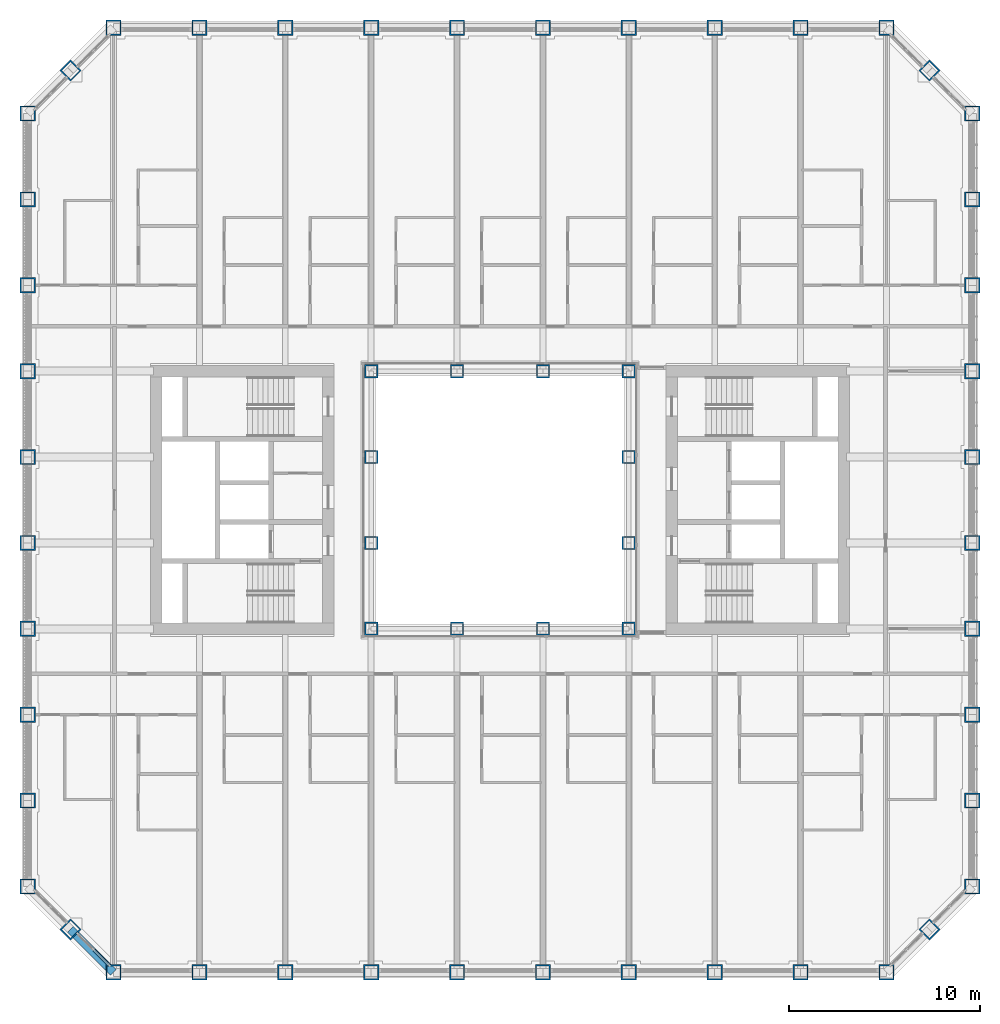
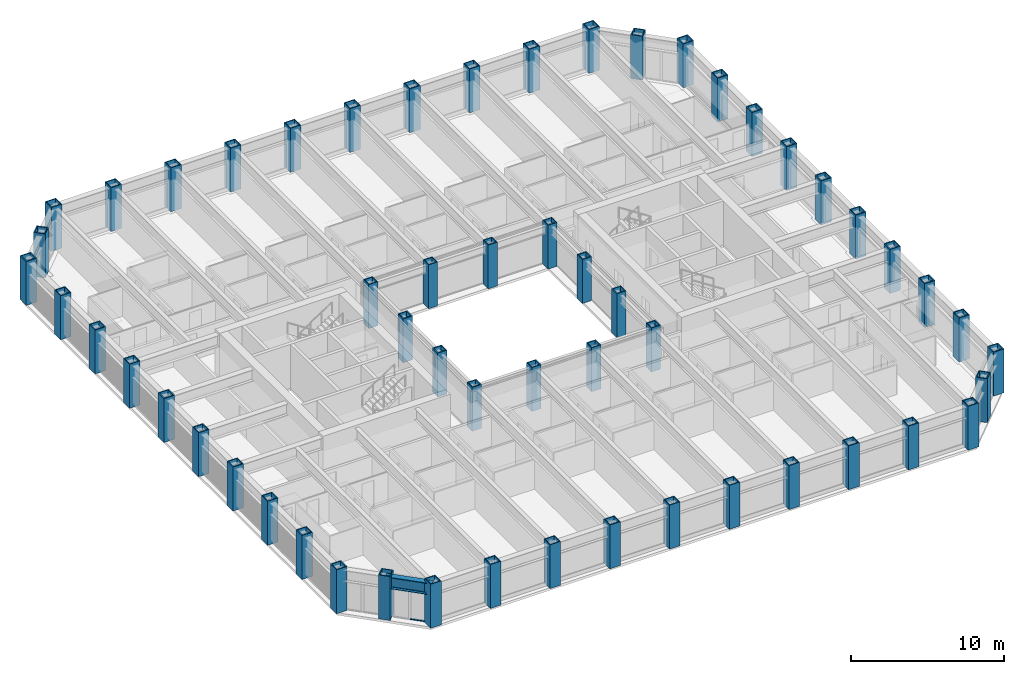
# One storey, part 1 of 21: 56 columns, 2 members, 1 beam, 1 element without a shape of its own.
"""IFC4 building model written with IfcOpenShell, lengths in metres."""

from ifc_helpers import new_model, si_unit, direction, frame, origin, origin_2d, place, context, subcontext, project, spatial, rectangle, hollow_rectangle, i_section, extrude, material, material_profile, profile_set, type_object, element, aggregate, save


model = new_model("IFC4")

# Units and contexts
model_context = context("Model", 3, precision=1e-05, world=origin(), true_north=direction((0.0, 1.0)))
body_context = subcontext(model_context, "Body", "Model", "MODEL_VIEW")
ifc_project = project(units=[si_unit("LENGTHUNIT", "METRE"), si_unit("AREAUNIT", "SQUARE_METRE"), si_unit("VOLUMEUNIT", "CUBIC_METRE"), si_unit("PLANEANGLEUNIT", "RADIAN"), si_unit("MASSUNIT", "GRAM", prefix="KILO")], contexts=[model_context])

# Site, building, storey
site_placement = place(None, origin())
site = spatial("IfcSite", under=ifc_project, at=site_placement, CompositionType="ELEMENT")
building_placement = place(site_placement, origin())
building = spatial("IfcBuilding", under=site, at=building_placement, Name="Msasa Ring Tower", CompositionType="ELEMENT")
storey_placement = place(building_placement, frame((0.0, 0.0, 33.5)))
storey = spatial("IfcBuildingStorey", under=building, at=storey_placement, Name="L07", CompositionType="ELEMENT", Elevation=33.5)

# Columns
ifc_material_1 = material(Name="Steel S355", Category="steel")
ifc_material_profile_1 = material_profile(ifc_material_1, hollow_rectangle(XDim=0.699951171875, YDim=0.699951171875, WallThickness=0.070068359375, at=origin_2d()), Name="BOX 700x700x70")
ifc_profile_set_1 = profile_set([ifc_material_profile_1], Name="Steel S355")
column_type_1 = type_object("IfcColumnType", Name="IC1 BOX 700x700x70", PredefinedType="COLUMN", material=ifc_profile_set_1)
for number, where, z_axis, x_axis, name in (
    (1, (-6.75, -6.75, 0.0), (0.0, 0.0, 1.0), (1.0, 0.0, 0.0), "Inner ring column IR-6.75-6.75 L07"),
    (2, (-6.75, -2.25, 0.0), (0.0, 0.0, 1.0), (1.0, 0.0, 0.0), "Inner ring column IR-6.75-2.25 L07"),
    (3, (-6.75, 2.25, 0.0), (0.0, 0.0, 1.0), (1.0, 0.0, 0.0), "Inner ring column IR-6.75+2.25 L07"),
    (4, (-6.75, 6.75, 0.0), (0.0, 0.0, 1.0), (1.0, 0.0, 0.0), "Inner ring column IR-6.75+6.75 L07"),
    (5, (-2.25, -6.75, 0.0), (0.0, 0.0, 1.0), (1.0, 0.0, 0.0), "Inner ring column IR-2.25-6.75 L07"),
    (6, (-2.25, 6.75, 0.0), (0.0, 0.0, 1.0), (1.0, 0.0, 0.0), "Inner ring column IR-2.25+6.75 L07"),
    (7, (2.25, -6.75, 0.0), (0.0, 0.0, 1.0), (1.0, 0.0, 0.0), "Inner ring column IR+2.25-6.75 L07"),
    (8, (2.25, 6.75, 0.0), (0.0, 0.0, 1.0), (1.0, 0.0, 0.0), "Inner ring column IR+2.25+6.75 L07"),
    (9, (6.75, -6.75, 0.0), (0.0, 0.0, 1.0), (1.0, 0.0, 0.0), "Inner ring column IR+6.75-6.75 L07"),
    (10, (6.75, -2.25, 0.0), (0.0, 0.0, 1.0), (1.0, 0.0, 0.0), "Inner ring column IR+6.75-2.25 L07"),
    (11, (6.75, 2.25, 0.0), (0.0, 0.0, 1.0), (1.0, 0.0, 0.0), "Inner ring column IR+6.75+2.25 L07"),
    (12, (6.75, 6.75, 0.0), (0.0, 0.0, 1.0), (1.0, 0.0, 0.0), "Inner ring column IR+6.75+6.75 L07"),
):
    element("IfcColumn", number, at=place(storey_placement, frame(where, z_axis=z_axis, x_axis=x_axis)), inside=storey, type_object=column_type_1, Name=name, PredefinedType="COLUMN", context=body_context, shape_type="SweptSolid", body=[
        extrude(hollow_rectangle(XDim=0.699951171875, YDim=0.699951171875, WallThickness=0.070068359375, at=origin_2d()), origin(), (0.0, 0.0, 1.0), 3.5),
    ])
ifc_material_2 = material(Name="Steel S355", Category="steel")
ifc_material_profile_2 = material_profile(ifc_material_2, hollow_rectangle(XDim=0.800048828125, YDim=0.800048828125, WallThickness=0.070068359375, at=origin_2d()), Name="BOX 800x800x70")
ifc_profile_set_2 = profile_set([ifc_material_profile_2], Name="Steel S355")
column_type_2 = type_object("IfcColumnType", Name="TC2 BOX 800x800x70", PredefinedType="COLUMN", material=ifc_profile_set_2)
for number, where, z_axis, x_axis, name in (
    (13, (-20.25, -24.75, 0.0), (0.0, 0.0, 1.0), (0.0, 1.0, 0.0), "Tube column S-20.25 L07"),
    (14, (-20.25, 24.75, 0.0), (0.0, 0.0, 1.0), (0.0, 1.0, 0.0), "Tube column N-20.25 L07"),
    (15, (24.75, -20.25, 0.0), (0.0, 0.0, 1.0), (1.0, 0.0, 0.0), "Tube column E-20.25 L07"),
    (16, (-24.75, -20.25, 0.0), (0.0, 0.0, 1.0), (1.0, 0.0, 0.0), "Tube column W-20.25 L07"),
    (17, (-15.75, -24.75, 0.0), (0.0, 0.0, 1.0), (0.0, 1.0, 0.0), "Tube column S-15.75 L07"),
    (18, (-15.75, 24.75, 0.0), (0.0, 0.0, 1.0), (0.0, 1.0, 0.0), "Tube column N-15.75 L07"),
    (19, (24.75, -15.75, 0.0), (0.0, 0.0, 1.0), (1.0, 0.0, 0.0), "Tube column E-15.75 L07"),
    (20, (-24.75, -15.75, 0.0), (0.0, 0.0, 1.0), (1.0, 0.0, 0.0), "Tube column W-15.75 L07"),
    (21, (-11.25, -24.75, 0.0), (0.0, 0.0, 1.0), (0.0, 1.0, 0.0), "Tube column S-11.25 L07"),
    (22, (-11.25, 24.75, 0.0), (0.0, 0.0, 1.0), (0.0, 1.0, 0.0), "Tube column N-11.25 L07"),
    (23, (24.75, -11.25, 0.0), (0.0, 0.0, 1.0), (1.0, 0.0, 0.0), "Tube column E-11.25 L07"),
    (24, (-24.75, -11.25, 0.0), (0.0, 0.0, 1.0), (1.0, 0.0, 0.0), "Tube column W-11.25 L07"),
    (25, (-6.75, -24.75, 0.0), (0.0, 0.0, 1.0), (0.0, 1.0, 0.0), "Tube column S-6.75 L07"),
    (26, (-6.75, 24.75, 0.0), (0.0, 0.0, 1.0), (0.0, 1.0, 0.0), "Tube column N-6.75 L07"),
    (27, (24.75, -6.75, 0.0), (0.0, 0.0, 1.0), (1.0, 0.0, 0.0), "Tube column E-6.75 L07"),
    (28, (-24.75, -6.75, 0.0), (0.0, 0.0, 1.0), (1.0, 0.0, 0.0), "Tube column W-6.75 L07"),
    (29, (-2.25, -24.75, 0.0), (0.0, 0.0, 1.0), (0.0, 1.0, 0.0), "Tube column S-2.25 L07"),
    (30, (-2.25, 24.75, 0.0), (0.0, 0.0, 1.0), (0.0, 1.0, 0.0), "Tube column N-2.25 L07"),
    (31, (24.75, -2.25, 0.0), (0.0, 0.0, 1.0), (1.0, 0.0, 0.0), "Tube column E-2.25 L07"),
    (32, (-24.75, -2.25, 0.0), (0.0, 0.0, 1.0), (1.0, 0.0, 0.0), "Tube column W-2.25 L07"),
    (33, (2.25, -24.75, 0.0), (0.0, 0.0, 1.0), (0.0, 1.0, 0.0), "Tube column S+2.25 L07"),
    (34, (2.25, 24.75, 0.0), (0.0, 0.0, 1.0), (0.0, 1.0, 0.0), "Tube column N+2.25 L07"),
    (35, (24.75, 2.25, 0.0), (0.0, 0.0, 1.0), (1.0, 0.0, 0.0), "Tube column E+2.25 L07"),
    (36, (-24.75, 2.25, 0.0), (0.0, 0.0, 1.0), (1.0, 0.0, 0.0), "Tube column W+2.25 L07"),
    (37, (6.75, -24.75, 0.0), (0.0, 0.0, 1.0), (0.0, 1.0, 0.0), "Tube column S+6.75 L07"),
    (38, (6.75, 24.75, 0.0), (0.0, 0.0, 1.0), (0.0, 1.0, 0.0), "Tube column N+6.75 L07"),
    (39, (24.75, 6.75, 0.0), (0.0, 0.0, 1.0), (1.0, 0.0, 0.0), "Tube column E+6.75 L07"),
    (40, (-24.75, 6.75, 0.0), (0.0, 0.0, 1.0), (1.0, 0.0, 0.0), "Tube column W+6.75 L07"),
    (41, (11.25, -24.75, 0.0), (0.0, 0.0, 1.0), (0.0, 1.0, 0.0), "Tube column S+11.25 L07"),
    (42, (11.25, 24.75, 0.0), (0.0, 0.0, 1.0), (0.0, 1.0, 0.0), "Tube column N+11.25 L07"),
    (43, (24.75, 11.25, 0.0), (0.0, 0.0, 1.0), (1.0, 0.0, 0.0), "Tube column E+11.25 L07"),
    (44, (-24.75, 11.25, 0.0), (0.0, 0.0, 1.0), (1.0, 0.0, 0.0), "Tube column W+11.25 L07"),
    (45, (15.75, -24.75, 0.0), (0.0, 0.0, 1.0), (0.0, 1.0, 0.0), "Tube column S+15.75 L07"),
    (46, (15.75, 24.75, 0.0), (0.0, 0.0, 1.0), (0.0, 1.0, 0.0), "Tube column N+15.75 L07"),
    (47, (24.75, 15.75, 0.0), (0.0, 0.0, 1.0), (1.0, 0.0, 0.0), "Tube column E+15.75 L07"),
    (48, (-24.75, 15.75, 0.0), (0.0, 0.0, 1.0), (1.0, 0.0, 0.0), "Tube column W+15.75 L07"),
    (49, (20.25, -24.75, 0.0), (0.0, 0.0, 1.0), (0.0, 1.0, 0.0), "Tube column S+20.25 L07"),
    (50, (20.25, 24.75, 0.0), (0.0, 0.0, 1.0), (0.0, 1.0, 0.0), "Tube column N+20.25 L07"),
    (51, (24.75, 20.25, 0.0), (0.0, 0.0, 1.0), (1.0, 0.0, 0.0), "Tube column E+20.25 L07"),
    (52, (-24.75, 20.25, 0.0), (0.0, 0.0, 1.0), (1.0, 0.0, 0.0), "Tube column W+20.25 L07"),
    (53, (22.5, -22.5, 0.0), (0.0, 0.0, 1.0), (0.707106781187, -0.707106781187, 0.0), "Tube column SE L07"),
    (54, (22.5, 22.5, 0.0), (0.0, 0.0, 1.0), (0.707106781187, 0.707106781187, 0.0), "Tube column NE L07"),
    (55, (-22.5, 22.5, 0.0), (0.0, 0.0, 1.0), (0.707106781187, -0.707106781187, 0.0), "Tube column NW L07"),
    (56, (-22.5, -22.5, 0.0), (0.0, 0.0, 1.0), (0.707106781187, 0.707106781187, 0.0), "Tube column SW L07"),
):
    element("IfcColumn", number, at=place(storey_placement, frame(where, z_axis=z_axis, x_axis=x_axis)), inside=storey, type_object=column_type_2, Name=name, PredefinedType="COLUMN", context=body_context, shape_type="SweptSolid", body=[
        extrude(hollow_rectangle(XDim=0.800048828125, YDim=0.800048828125, WallThickness=0.070068359375, at=origin_2d()), origin(), (0.0, 0.0, 1.0), 3.5),
    ])

# Curtain wall, members
ifc_material_3 = material(Name="Aluminium curtain wall with clear glass", Category="aluminium")
curtain_wall_type = type_object("IfcCurtainWallType", Name="CW-C CHAMFER CORNER CURTAIN WALL", PredefinedType="NOTDEFINED", material=ifc_material_3)
curtain_wall_placement = place(storey_placement, origin())
curtain_wall = element("IfcCurtainWall", 57, at=curtain_wall_placement, inside=storey, type_object=curtain_wall_type, Name="Chamfer corner curtain wall SW L07", PredefinedType="NOTDEFINED")
ifc_material_4 = material(Name="Aluminium transom", Category="aluminium")
ifc_material_profile_3 = material_profile(ifc_material_4, rectangle(XDim=0.139892578125, YDim=0.06494140625, at=origin_2d()), Name="AL 65x140")
ifc_profile_set_3 = profile_set([ifc_material_profile_3], Name="Aluminium transom")
member_type = type_object("IfcMemberType", Name="CW-C TRANSOM 65x140", PredefinedType="USERDEFINED", material=ifc_profile_set_3)
member_1_placement = place(storey_placement, frame((-21.28125, -23.577392578125, 0.032470703125), z_axis=(0.707106781187, -0.707106781187, 0.0), x_axis=(0.707106781187, 0.707106781187, 0.0)))
member_1 = element("IfcMember", 58, at=member_1_placement, type_object=member_type, Name="CW-C transom 2.1", ObjectType="TRANSOM", PredefinedType="USERDEFINED", context=body_context, shape_type="SweptSolid", body=[
    extrude(rectangle(XDim=0.139892578125, YDim=0.06494140625, at=origin_2d()), origin(), (0.0, 0.0, 1.0), 1.08837890625),
])
member_2_placement = place(storey_placement, frame((-21.28125, -23.577392578125, 2.346435546875), z_axis=(0.707106781187, -0.707106781187, 0.0), x_axis=(0.707106781187, 0.707106781187, 0.0)))
member_2 = element("IfcMember", 59, at=member_2_placement, type_object=member_type, Name="CW-C transom 2.2", ObjectType="TRANSOM", PredefinedType="USERDEFINED", context=body_context, shape_type="SweptSolid", body=[
    extrude(rectangle(XDim=0.139892578125, YDim=0.06494140625, at=origin_2d()), origin(), (0.0, 0.0, 1.0), 1.08837890625),
])
aggregate(curtain_wall, [member_1, member_2])

# Beam
ifc_material_5 = material(Name="Steel S355", Category="steel")
ifc_material_profile_4 = material_profile(ifc_material_5, i_section(OverallWidth=0.42041015625, OverallDepth=0.9208984375, WebThickness=0.021484375, FlangeThickness=0.03662109375, FilletRadius=0.024169921875, at=origin_2d()), Name="UB 914x419x388")
ifc_profile_set_4 = profile_set([ifc_material_profile_4], Name="Steel S355")
beam_type = type_object("IfcBeamType", Name="SB1 UB 914x419x388", PredefinedType="SPANDREL", material=ifc_profile_set_4)
beam_placement = place(storey_placement, frame((-22.5, -22.5, 2.839599609375), z_axis=(0.707106781187, -0.707106781187, 0.0), x_axis=(0.707106781187, 0.707106781187, 0.0)))
element("IfcBeam", 60, at=beam_placement, inside=storey, type_object=beam_type, Name="Spandrel SW to S-20.25 under L08", PredefinedType="SPANDREL", context=body_context, shape_type="SweptSolid", body=[
    extrude(i_section(OverallWidth=0.42041015625, OverallDepth=0.9208984375, WebThickness=0.021484375, FlangeThickness=0.03662109375, FilletRadius=0.024169921875, at=origin_2d()), origin(), (0.0, 0.0, 1.0), 3.181884765625),
])

save(model, "model.ifc")
